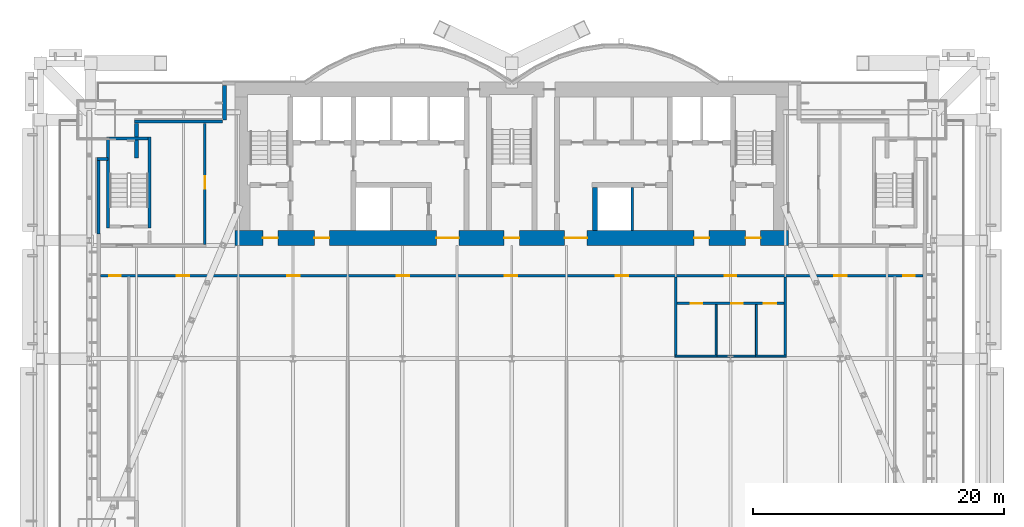
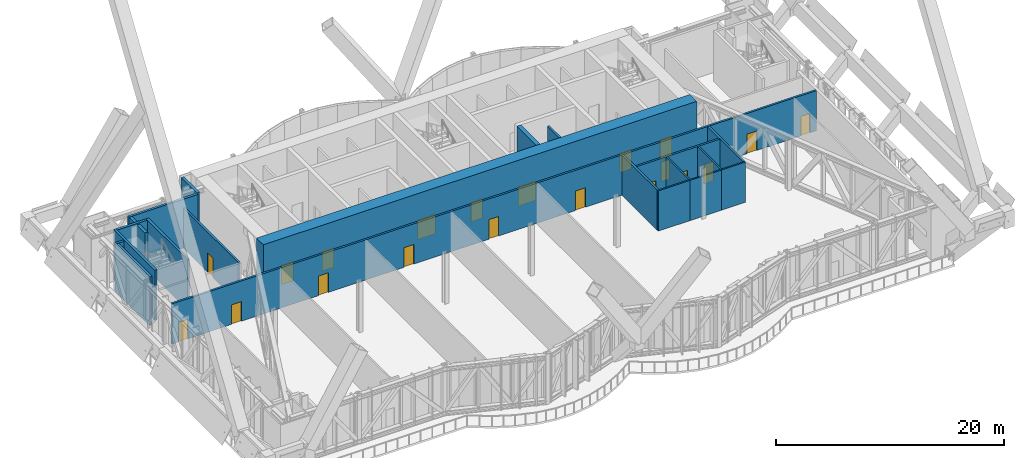
# One storey, part 26 of 32: 21 walls, 20 doors, 20 openings.
"""IFC4 building model written with IfcOpenShell, lengths in metres."""

from ifc_helpers import new_model, si_unit, direction, frame, frame_2d, origin, place, context, subcontext, project, spatial, rectangle, extrude, material, layer, layer_set, layer_usage, type_object, element, fill, save


model = new_model("IFC4")

# Units and contexts
model_context = context("Model", 3, precision=1e-05, world=origin(), true_north=direction((0.0, 1.0)))
body_context = subcontext(model_context, "Body", "Model", "MODEL_VIEW")
ifc_project = project(units=[si_unit("LENGTHUNIT", "METRE"), si_unit("AREAUNIT", "SQUARE_METRE"), si_unit("VOLUMEUNIT", "CUBIC_METRE"), si_unit("PLANEANGLEUNIT", "RADIAN"), si_unit("MASSUNIT", "GRAM", prefix="KILO")], contexts=[model_context])

# Site, building, storey
site_placement = place(None, origin())
site = spatial("IfcSite", under=ifc_project, at=site_placement, CompositionType="ELEMENT")
building_placement = place(site_placement, origin())
building = spatial("IfcBuilding", under=site, at=building_placement, Name="Bicima Exchange Tower", CompositionType="ELEMENT")
storey_placement = place(building_placement, frame((0.0, 0.0, 84.5)))
storey = spatial("IfcBuildingStorey", under=building, at=storey_placement, Name="L17", CompositionType="ELEMENT", Elevation=84.5)

# Wall
ifc_material_1 = material(Name="Gypsum board partition")
ifc_layer_1 = layer(ifc_material_1, 0.199951171875)
ifc_layer_set_1 = layer_set([ifc_layer_1], Name="Gypsum board partition")
wall_type_1 = type_object("IfcWallType", Name="Fire-rated gypsum partition 200 EI120", PredefinedType="PARTITIONING", material=ifc_layer_set_1)
wall_1_placement = place(storey_placement, frame((9.60009765625, -11.800048828125, 0.0), z_axis=(0.0, 0.0, 1.0), x_axis=(0.0, 1.0, 0.0)))
element("IfcWall", 1, at=wall_1_placement, inside=storey, type_object=wall_type_1, Name="partition wall 21", PredefinedType="PARTITIONING", context=body_context, shape_type="SweptSolid", body=[
    extrude(rectangle(XDim=3.400146484375, YDim=0.199951171875, at=frame_2d((1.7001953125, 0.0))), origin(), (0.0, 0.0, 1.0), 4.318115234375),
])

# Wall, openings, doors
ifc_layer_2 = layer(ifc_material_1, 0.199951171875)
ifc_layer_set_2 = layer_set([ifc_layer_2], Name="Gypsum board partition")
wall_type_2 = type_object("IfcWallType", Name="Fire-rated gypsum partition 200 EI60", PredefinedType="PARTITIONING", material=ifc_layer_set_2)
wall_2_placement = place(storey_placement, frame((13.14990234375, -17.60009765625, 0.0), z_axis=(0.0, 0.0, 1.0), x_axis=(1.0, 0.0, 0.0)))
wall_2 = element("IfcWall", 2, at=wall_2_placement, inside=storey, type_object=wall_type_2, Name="partition wall 4", PredefinedType="PARTITIONING", context=body_context, shape_type="SweptSolid", body=[
    extrude(rectangle(XDim=8.5, YDim=0.199951171875, at=frame_2d((4.25, 0.0))), origin(), (0.0, 0.0, 1.0), 4.318115234375),
])
opening_1_placement = place(wall_2_placement, frame((1.10009765625, 0.0, 0.0)))
opening_1 = element("IfcOpeningElement", 3, at=opening_1_placement, cuts=wall_2, Name="Opening L17-014", PredefinedType="OPENING", context=body_context, shape_type="SweptSolid", body=[
    extrude(rectangle(XDim=0.89990234375, YDim=2.10009765625, at=frame_2d((0.449951171875, 1.050048828125))), frame((0.0, 0.11181640625, 0.0), z_axis=(0.0, -1.0, 0.0), x_axis=(1.0, 0.0, 0.0)), (0.0, 0.0, 1.0), 0.223876953125),
])
opening_2_placement = place(wall_2_placement, frame((4.300048828125, 0.0, 0.0)))
opening_2 = element("IfcOpeningElement", 4, at=opening_2_placement, cuts=wall_2, Name="Opening L17-015", PredefinedType="OPENING", context=body_context, shape_type="SweptSolid", body=[
    extrude(rectangle(XDim=0.89990234375, YDim=2.10009765625, at=frame_2d((0.449951171875, 1.050048828125))), frame((0.0, 0.11181640625, 0.0), z_axis=(0.0, -1.0, 0.0), x_axis=(1.0, 0.0, 0.0)), (0.0, 0.0, 1.0), 0.223876953125),
])
opening_3_placement = place(wall_2_placement, frame((6.89990234375, 0.0, 0.0)))
opening_3 = element("IfcOpeningElement", 5, at=opening_3_placement, cuts=wall_2, Name="Opening L17-016", PredefinedType="OPENING", context=body_context, shape_type="SweptSolid", body=[
    extrude(rectangle(XDim=1.0, YDim=2.10009765625, at=frame_2d((0.5, 1.050048828125))), frame((0.0, 0.11181640625, 0.0), z_axis=(0.0, -1.0, 0.0), x_axis=(1.0, 0.0, 0.0)), (0.0, 0.0, 1.0), 0.223876953125),
])
ifc_material_2 = material(Name="Steel fire door leaf", Category="steel")
door_type_1 = type_object("IfcDoorType", Name="Door 1000 swing FD30S", OperationType="SINGLE_SWING_LEFT", PredefinedType="DOOR", material=ifc_material_2)
door_1_placement = place(opening_3_placement, frame((1.0, 0.0, 0.0), z_axis=(0.0, 0.0, 1.0), x_axis=(-1.0, 0.0, 0.0)))
door_1 = element("IfcDoor", 6, at=door_1_placement, inside=storey, type_object=door_type_1, Name="Door", OperationType="SINGLE_SWING_LEFT", OverallHeight=2.10009765625, OverallWidth=1.0, PredefinedType="DOOR", context=body_context, shape_type="SweptSolid", body=[
    extrude(rectangle(XDim=1.0, YDim=2.10009765625, at=frame_2d((0.5, 1.050048828125))), frame((0.0, 0.02490234375, 0.0), z_axis=(0.0, -1.0, 0.0), x_axis=(1.0, 0.0, 0.0)), (0.0, 0.0, 1.0), 0.050048828125),
])
fill(opening_3, door_1)
door_type_2 = type_object("IfcDoorType", Name="Door 900 swing FD30S", OperationType="SINGLE_SWING_LEFT", PredefinedType="DOOR", material=ifc_material_2)
door_2_placement = place(opening_1_placement, frame((0.89990234375, 0.0, 0.0), z_axis=(0.0, 0.0, 1.0), x_axis=(-1.0, 0.0, 0.0)))
door_2 = element("IfcDoor", 7, at=door_2_placement, inside=storey, type_object=door_type_2, Name="Door", OperationType="SINGLE_SWING_RIGHT", OverallHeight=2.10009765625, OverallWidth=0.89990234375, PredefinedType="DOOR", context=body_context, shape_type="SweptSolid", body=[
    extrude(rectangle(XDim=0.89990234375, YDim=2.10009765625, at=frame_2d((0.449951171875, 1.050048828125))), frame((0.0, 0.02490234375, 0.0), z_axis=(0.0, -1.0, 0.0), x_axis=(1.0, 0.0, 0.0)), (0.0, 0.0, 1.0), 0.050048828125),
])
fill(opening_1, door_2)
door_3_placement = place(opening_2_placement, frame((0.89990234375, 0.0, 0.0), z_axis=(0.0, 0.0, 1.0), x_axis=(-1.0, 0.0, 0.0)))
door_3 = element("IfcDoor", 8, at=door_3_placement, inside=storey, type_object=door_type_2, Name="Door", OperationType="SINGLE_SWING_RIGHT", OverallHeight=2.10009765625, OverallWidth=0.89990234375, PredefinedType="DOOR", context=body_context, shape_type="SweptSolid", body=[
    extrude(rectangle(XDim=0.89990234375, YDim=2.10009765625, at=frame_2d((0.449951171875, 1.050048828125))), frame((0.0, 0.02490234375, 0.0), z_axis=(0.0, -1.0, 0.0), x_axis=(1.0, 0.0, 0.0)), (0.0, 0.0, 1.0), 0.050048828125),
])
fill(opening_2, door_3)

wall_3_placement = place(storey_placement, frame((-32.699951171875, -15.39990234375, 0.0), z_axis=(0.0, 0.0, 1.0), x_axis=(1.0, 0.0, 0.0)))
wall_3 = element("IfcWall", 9, at=wall_3_placement, inside=storey, type_object=wall_type_2, Name="partition wall 5", PredefinedType="PARTITIONING", context=body_context, shape_type="SweptSolid", body=[
    extrude(rectangle(XDim=65.39990234375, YDim=0.199951171875, at=frame_2d((32.699951171875, 0.0))), origin(), (0.0, 0.0, 1.0), 4.318115234375),
])
opening_4_placement = place(wall_3_placement, frame((0.699951171875, 0.0, 0.0)))
opening_4 = element("IfcOpeningElement", 10, at=opening_4_placement, cuts=wall_3, Name="Opening L17-007", PredefinedType="OPENING", context=body_context, shape_type="SweptSolid", body=[
    extrude(rectangle(XDim=0.89990234375, YDim=2.10009765625, at=frame_2d((0.449951171875, 1.050048828125))), frame((0.0, 0.11181640625, 0.0), z_axis=(0.0, -1.0, 0.0), x_axis=(1.0, 0.0, 0.0)), (0.0, 0.0, 1.0), 0.223876953125),
])
opening_5_placement = place(wall_3_placement, frame((6.050048828125, 0.0, 0.0)))
opening_5 = element("IfcOpeningElement", 11, at=opening_5_placement, cuts=wall_3, Name="Opening L17-008", PredefinedType="OPENING", context=body_context, shape_type="SweptSolid", body=[
    extrude(rectangle(XDim=1.0, YDim=2.10009765625, at=frame_2d((0.5, 1.050048828125))), frame((0.0, 0.11181640625, 0.0), z_axis=(0.0, -1.0, 0.0), x_axis=(1.0, 0.0, 0.0)), (0.0, 0.0, 1.0), 0.223876953125),
])
opening_6_placement = place(wall_3_placement, frame((14.85009765625, 0.0, 0.0)))
opening_6 = element("IfcOpeningElement", 12, at=opening_6_placement, cuts=wall_3, Name="Opening L17-009", PredefinedType="OPENING", context=body_context, shape_type="SweptSolid", body=[
    extrude(rectangle(XDim=1.0, YDim=2.10009765625, at=frame_2d((0.5, 1.050048828125))), frame((0.0, 0.11181640625, 0.0), z_axis=(0.0, -1.0, 0.0), x_axis=(1.0, 0.0, 0.0)), (0.0, 0.0, 1.0), 0.223876953125),
])
opening_7_placement = place(wall_3_placement, frame((23.550048828125, 0.0, 0.0)))
opening_7 = element("IfcOpeningElement", 13, at=opening_7_placement, cuts=wall_3, Name="Opening L17-010", PredefinedType="OPENING", context=body_context, shape_type="SweptSolid", body=[
    extrude(rectangle(XDim=1.0, YDim=2.10009765625, at=frame_2d((0.5, 1.050048828125))), frame((0.0, 0.11181640625, 0.0), z_axis=(0.0, -1.0, 0.0), x_axis=(1.0, 0.0, 0.0)), (0.0, 0.0, 1.0), 0.223876953125),
])
opening_8_placement = place(wall_3_placement, frame((32.14990234375, 0.0, 0.0)))
opening_8 = element("IfcOpeningElement", 14, at=opening_8_placement, cuts=wall_3, Name="Opening L17-011", PredefinedType="OPENING", context=body_context, shape_type="SweptSolid", body=[
    extrude(rectangle(XDim=1.0, YDim=2.10009765625, at=frame_2d((0.5, 1.050048828125))), frame((0.0, 0.11181640625, 0.0), z_axis=(0.0, -1.0, 0.0), x_axis=(1.0, 0.0, 0.0)), (0.0, 0.0, 1.0), 0.223876953125),
])
opening_9_placement = place(wall_3_placement, frame((40.949951171875, 0.0, 0.0)))
opening_9 = element("IfcOpeningElement", 15, at=opening_9_placement, cuts=wall_3, Name="Opening L17-012", PredefinedType="OPENING", context=body_context, shape_type="SweptSolid", body=[
    extrude(rectangle(XDim=1.0, YDim=2.10009765625, at=frame_2d((0.5, 1.050048828125))), frame((0.0, 0.11181640625, 0.0), z_axis=(0.0, -1.0, 0.0), x_axis=(1.0, 0.0, 0.0)), (0.0, 0.0, 1.0), 0.223876953125),
])
opening_10_placement = place(wall_3_placement, frame((49.64990234375, 0.0, 0.0)))
opening_10 = element("IfcOpeningElement", 16, at=opening_10_placement, cuts=wall_3, Name="Opening L17-013", PredefinedType="OPENING", context=body_context, shape_type="SweptSolid", body=[
    extrude(rectangle(XDim=0.89990234375, YDim=2.10009765625, at=frame_2d((0.449951171875, 1.050048828125))), frame((0.0, 0.11181640625, 0.0), z_axis=(0.0, -1.0, 0.0), x_axis=(1.0, 0.0, 0.0)), (0.0, 0.0, 1.0), 0.223876953125),
])
opening_11_placement = place(wall_3_placement, frame((58.35009765625, 0.0, 0.0)))
opening_11 = element("IfcOpeningElement", 17, at=opening_11_placement, cuts=wall_3, Name="Opening L17-017", PredefinedType="OPENING", context=body_context, shape_type="SweptSolid", body=[
    extrude(rectangle(XDim=1.0, YDim=2.10009765625, at=frame_2d((0.5, 1.050048828125))), frame((0.0, 0.11181640625, 0.0), z_axis=(0.0, -1.0, 0.0), x_axis=(1.0, 0.0, 0.0)), (0.0, 0.0, 1.0), 0.223876953125),
])
opening_12_placement = place(wall_3_placement, frame((63.85009765625, 0.0, 0.0)))
opening_12 = element("IfcOpeningElement", 18, at=opening_12_placement, cuts=wall_3, Name="Opening L17-018", PredefinedType="OPENING", context=body_context, shape_type="SweptSolid", body=[
    extrude(rectangle(XDim=0.89990234375, YDim=2.10009765625, at=frame_2d((0.449951171875, 1.050048828125))), frame((0.0, 0.11181640625, 0.0), z_axis=(0.0, -1.0, 0.0), x_axis=(1.0, 0.0, 0.0)), (0.0, 0.0, 1.0), 0.223876953125),
])
door_4_placement = place(opening_5_placement, frame((1.0, 0.0, 0.0), z_axis=(0.0, 0.0, 1.0), x_axis=(-1.0, 0.0, 0.0)))
door_4 = element("IfcDoor", 19, at=door_4_placement, inside=storey, type_object=door_type_1, Name="Door", OperationType="SINGLE_SWING_RIGHT", OverallHeight=2.10009765625, OverallWidth=1.0, PredefinedType="DOOR", context=body_context, shape_type="SweptSolid", body=[
    extrude(rectangle(XDim=1.0, YDim=2.10009765625, at=frame_2d((0.5, 1.050048828125))), frame((0.0, 0.02490234375, 0.0), z_axis=(0.0, -1.0, 0.0), x_axis=(1.0, 0.0, 0.0)), (0.0, 0.0, 1.0), 0.050048828125),
])
fill(opening_5, door_4)
door_5_placement = place(opening_6_placement, frame((1.0, 0.0, 0.0), z_axis=(0.0, 0.0, 1.0), x_axis=(-1.0, 0.0, 0.0)))
door_5 = element("IfcDoor", 20, at=door_5_placement, inside=storey, type_object=door_type_1, Name="Door", OperationType="SINGLE_SWING_RIGHT", OverallHeight=2.10009765625, OverallWidth=1.0, PredefinedType="DOOR", context=body_context, shape_type="SweptSolid", body=[
    extrude(rectangle(XDim=1.0, YDim=2.10009765625, at=frame_2d((0.5, 1.050048828125))), frame((0.0, 0.02490234375, 0.0), z_axis=(0.0, -1.0, 0.0), x_axis=(1.0, 0.0, 0.0)), (0.0, 0.0, 1.0), 0.050048828125),
])
fill(opening_6, door_5)
door_6_placement = place(opening_7_placement, frame((1.0, 0.0, 0.0), z_axis=(0.0, 0.0, 1.0), x_axis=(-1.0, 0.0, 0.0)))
door_6 = element("IfcDoor", 21, at=door_6_placement, inside=storey, type_object=door_type_1, Name="Door", OperationType="SINGLE_SWING_LEFT", OverallHeight=2.10009765625, OverallWidth=1.0, PredefinedType="DOOR", context=body_context, shape_type="SweptSolid", body=[
    extrude(rectangle(XDim=1.0, YDim=2.10009765625, at=frame_2d((0.5, 1.050048828125))), frame((0.0, 0.02490234375, 0.0), z_axis=(0.0, -1.0, 0.0), x_axis=(1.0, 0.0, 0.0)), (0.0, 0.0, 1.0), 0.050048828125),
])
fill(opening_7, door_6)
door_7_placement = place(opening_8_placement, frame((1.0, 0.0, 0.0), z_axis=(0.0, 0.0, 1.0), x_axis=(-1.0, 0.0, 0.0)))
door_7 = element("IfcDoor", 22, at=door_7_placement, inside=storey, type_object=door_type_1, Name="Door", OperationType="SINGLE_SWING_RIGHT", OverallHeight=2.10009765625, OverallWidth=1.0, PredefinedType="DOOR", context=body_context, shape_type="SweptSolid", body=[
    extrude(rectangle(XDim=1.0, YDim=2.10009765625, at=frame_2d((0.5, 1.050048828125))), frame((0.0, 0.02490234375, 0.0), z_axis=(0.0, -1.0, 0.0), x_axis=(1.0, 0.0, 0.0)), (0.0, 0.0, 1.0), 0.050048828125),
])
fill(opening_8, door_7)
door_8_placement = place(opening_9_placement, frame((1.0, 0.0, 0.0), z_axis=(0.0, 0.0, 1.0), x_axis=(-1.0, 0.0, 0.0)))
door_8 = element("IfcDoor", 23, at=door_8_placement, inside=storey, type_object=door_type_1, Name="Door", OperationType="SINGLE_SWING_RIGHT", OverallHeight=2.10009765625, OverallWidth=1.0, PredefinedType="DOOR", context=body_context, shape_type="SweptSolid", body=[
    extrude(rectangle(XDim=1.0, YDim=2.10009765625, at=frame_2d((0.5, 1.050048828125))), frame((0.0, 0.02490234375, 0.0), z_axis=(0.0, -1.0, 0.0), x_axis=(1.0, 0.0, 0.0)), (0.0, 0.0, 1.0), 0.050048828125),
])
fill(opening_9, door_8)
door_9_placement = place(opening_11_placement, frame((1.0, 0.0, 0.0), z_axis=(0.0, 0.0, 1.0), x_axis=(-1.0, 0.0, 0.0)))
door_9 = element("IfcDoor", 24, at=door_9_placement, inside=storey, type_object=door_type_1, Name="Door", OperationType="SINGLE_SWING_RIGHT", OverallHeight=2.10009765625, OverallWidth=1.0, PredefinedType="DOOR", context=body_context, shape_type="SweptSolid", body=[
    extrude(rectangle(XDim=1.0, YDim=2.10009765625, at=frame_2d((0.5, 1.050048828125))), frame((0.0, 0.02490234375, 0.0), z_axis=(0.0, -1.0, 0.0), x_axis=(1.0, 0.0, 0.0)), (0.0, 0.0, 1.0), 0.050048828125),
])
fill(opening_11, door_9)
door_10_placement = place(opening_4_placement, frame((0.89990234375, 0.0, 0.0), z_axis=(0.0, 0.0, 1.0), x_axis=(-1.0, 0.0, 0.0)))
door_10 = element("IfcDoor", 25, at=door_10_placement, inside=storey, type_object=door_type_2, Name="Door", OperationType="SINGLE_SWING_LEFT", OverallHeight=2.10009765625, OverallWidth=0.89990234375, PredefinedType="DOOR", context=body_context, shape_type="SweptSolid", body=[
    extrude(rectangle(XDim=0.89990234375, YDim=2.10009765625, at=frame_2d((0.449951171875, 1.050048828125))), frame((0.0, 0.02490234375, 0.0), z_axis=(0.0, -1.0, 0.0), x_axis=(1.0, 0.0, 0.0)), (0.0, 0.0, 1.0), 0.050048828125),
])
fill(opening_4, door_10)
door_11_placement = place(opening_10_placement, frame((0.89990234375, 0.0, 0.0), z_axis=(0.0, 0.0, 1.0), x_axis=(-1.0, 0.0, 0.0)))
door_11 = element("IfcDoor", 26, at=door_11_placement, inside=storey, type_object=door_type_2, Name="Door", OperationType="SINGLE_SWING_LEFT", OverallHeight=2.10009765625, OverallWidth=0.89990234375, PredefinedType="DOOR", context=body_context, shape_type="SweptSolid", body=[
    extrude(rectangle(XDim=0.89990234375, YDim=2.10009765625, at=frame_2d((0.449951171875, 1.050048828125))), frame((0.0, 0.02490234375, 0.0), z_axis=(0.0, -1.0, 0.0), x_axis=(1.0, 0.0, 0.0)), (0.0, 0.0, 1.0), 0.050048828125),
])
fill(opening_10, door_11)
door_12_placement = place(opening_12_placement, frame((0.89990234375, 0.0, 0.0), z_axis=(0.0, 0.0, 1.0), x_axis=(-1.0, 0.0, 0.0)))
door_12 = element("IfcDoor", 27, at=door_12_placement, inside=storey, type_object=door_type_2, Name="Door", OperationType="SINGLE_SWING_RIGHT", OverallHeight=2.10009765625, OverallWidth=0.89990234375, PredefinedType="DOOR", context=body_context, shape_type="SweptSolid", body=[
    extrude(rectangle(XDim=0.89990234375, YDim=2.10009765625, at=frame_2d((0.449951171875, 1.050048828125))), frame((0.0, 0.02490234375, 0.0), z_axis=(0.0, -1.0, 0.0), x_axis=(1.0, 0.0, 0.0)), (0.0, 0.0, 1.0), 0.050048828125),
])
fill(opening_12, door_12)

# Wall, opening, door
wall_4_placement = place(storey_placement, frame((-24.39990234375, -12.89990234375, 0.0), z_axis=(0.0, 0.0, 1.0), x_axis=(0.0, 1.0, 0.0)))
wall_4 = element("IfcWall", 28, at=wall_4_placement, inside=storey, type_object=wall_type_2, Name="partition wall 15", PredefinedType="PARTITIONING", context=body_context, shape_type="SweptSolid", body=[
    extrude(rectangle(XDim=9.599853515625, YDim=0.199951171875, at=frame_2d((4.7998046875, 0.0))), origin(), (0.0, 0.0, 1.0), 4.318115234375),
])
opening_13_placement = place(wall_4_placement, frame((4.39990234375, 0.0, 0.0)))
opening_13 = element("IfcOpeningElement", 29, at=opening_13_placement, cuts=wall_4, Name="Opening L17-005", PredefinedType="OPENING", context=body_context, shape_type="SweptSolid", body=[
    extrude(rectangle(XDim=1.0, YDim=2.10009765625, at=frame_2d((0.5, 1.050048828125))), frame((0.0, 0.11181640625, 0.0), z_axis=(0.0, -1.0, 0.0), x_axis=(1.0, 0.0, 0.0)), (0.0, 0.0, 1.0), 0.223876953125),
])
door_13_placement = place(opening_13_placement, origin())
door_13 = element("IfcDoor", 30, at=door_13_placement, inside=storey, type_object=door_type_1, Name="Door", OperationType="SINGLE_SWING_LEFT", OverallHeight=2.10009765625, OverallWidth=1.0, PredefinedType="DOOR", context=body_context, shape_type="SweptSolid", body=[
    extrude(rectangle(XDim=1.0, YDim=2.10009765625, at=frame_2d((0.5, 1.050048828125))), frame((0.0, 0.02490234375, 0.0), z_axis=(0.0, -1.0, 0.0), x_axis=(1.0, 0.0, 0.0)), (0.0, 0.0, 1.0), 0.050048828125),
])
fill(opening_13, door_13)

# Walls
for number, where, z_axis, x_axis, name in (
    (31, (13.050048828125, -21.72509765625, 0.0), (0.0, 0.0, 1.0), (0.0, 1.0, 0.0), "partition wall 20"),
    (32, (21.75, -21.72509765625, 0.0), (0.0, 0.0, 1.0), (0.0, 1.0, 0.0), "partition wall 23"),
):
    element("IfcWall", number, at=place(storey_placement, frame(where, z_axis=z_axis, x_axis=x_axis)), inside=storey, type_object=wall_type_2, Name=name, PredefinedType="PARTITIONING", context=body_context, shape_type="SweptSolid", body=[
        extrude(rectangle(XDim=6.22509765625, YDim=0.199951171875, at=frame_2d((3.112548828125, 0.0))), origin(), (0.0, 0.0, 1.0), 4.318115234375),
    ])
ifc_layer_3 = layer(ifc_material_1, 0.14990234375)
ifc_layer_set_3 = layer_set([ifc_layer_3], Name="Gypsum board partition")
wall_type_3 = type_object("IfcWallType", Name="Gypsum partition 150", PredefinedType="PARTITIONING", material=ifc_layer_set_3)
wall_5_placement = place(storey_placement, frame((12.969970703125, -21.800048828125, 0.0), z_axis=(0.0, 0.0, 1.0), x_axis=(1.0, 0.0, 0.0)))
element("IfcWall", 33, at=wall_5_placement, inside=storey, type_object=wall_type_3, Name="partition wall 1", PredefinedType="PARTITIONING", context=body_context, shape_type="SweptSolid", body=[
    extrude(rectangle(XDim=3.3349609375, YDim=0.14990234375, at=frame_2d((1.66748046875, 0.0))), origin(), (0.0, 0.0, 1.0), 4.318115234375),
])
wall_6_placement = place(storey_placement, frame((16.195068359375, -21.800048828125, 0.0), z_axis=(0.0, 0.0, 1.0), x_axis=(1.0, 0.0, 0.0)))
element("IfcWall", 34, at=wall_6_placement, inside=storey, type_object=wall_type_3, Name="partition wall 2", PredefinedType="PARTITIONING", context=body_context, shape_type="SweptSolid", body=[
    extrude(rectangle(XDim=3.309814453125, YDim=0.14990234375, at=frame_2d((1.65478515625, 0.0))), origin(), (0.0, 0.0, 1.0), 4.318115234375),
])
wall_7_placement = place(storey_placement, frame((19.39501953125, -21.800048828125, 0.0), z_axis=(0.0, 0.0, 1.0), x_axis=(1.0, 0.0, 0.0)))
element("IfcWall", 35, at=wall_7_placement, inside=storey, type_object=wall_type_3, Name="partition wall 3", PredefinedType="PARTITIONING", context=body_context, shape_type="SweptSolid", body=[
    extrude(rectangle(XDim=2.43505859375, YDim=0.14990234375, at=frame_2d((1.217529296875, 0.0))), origin(), (0.0, 0.0, 1.0), 4.318115234375),
])
for number, where, z_axis, x_axis, name in (
    (36, (16.25, -21.72509765625, 0.0), (0.0, 0.0, 1.0), (0.0, 1.0, 0.0), "partition wall 21"),
    (37, (19.449951171875, -21.72509765625, 0.0), (0.0, 0.0, 1.0), (0.0, 1.0, 0.0), "partition wall 22"),
):
    element("IfcWall", number, at=place(storey_placement, frame(where, z_axis=z_axis, x_axis=x_axis)), inside=storey, type_object=wall_type_3, Name=name, PredefinedType="PARTITIONING", context=body_context, shape_type="SweptSolid", body=[
        extrude(rectangle(XDim=4.025146484375, YDim=0.14990234375, at=frame_2d((2.0126953125, 0.0))), origin(), (0.0, 0.0, 1.0), 4.318115234375),
    ])

# Wall, openings, doors
ifc_material_3 = material(Name="Concrete C60/75", Category="concrete")
ifc_layer_4 = layer(ifc_material_3, 1.199951171875)
ifc_layer_set_4 = layer_set([ifc_layer_4], Name="Concrete C60/75")
wall_type_4 = type_object("IfcWallType", Name="RC core wall 1200 C60/75", PredefinedType="SHEAR", material=ifc_layer_set_4)
wall_8_placement = place(storey_placement, frame((-22.0, -12.39990234375, 0.0), z_axis=(0.0, 0.0, 1.0), x_axis=(1.0, 0.0, 0.0)))
wall_8 = element("IfcWall", 38, at=wall_8_placement, inside=storey, type_object=wall_type_4, Name="Core wall south", PredefinedType="SHEAR", context=body_context, shape_type="SweptSolid", body=[
    extrude(rectangle(XDim=44.0, YDim=1.199951171875, at=frame_2d((22.0, 0.0))), origin(), (0.0, 0.0, 1.0), 5.39990234375),
])
opening_14_placement = place(wall_8_placement, frame((2.199951171875, 0.0, 0.0)))
opening_14 = element("IfcOpeningElement", 39, at=opening_14_placement, cuts=wall_8, Name="Opening L17-C19", PredefinedType="OPENING", context=body_context, shape_type="SweptSolid", body=[
    extrude(rectangle(XDim=1.199951171875, YDim=2.10009765625, at=frame_2d((0.60009765625, 1.050048828125))), frame((0.0, 0.61181640625, 0.0), z_axis=(0.0, -1.0, 0.0), x_axis=(1.0, 0.0, 0.0)), (0.0, 0.0, 1.0), 1.223876953125),
])
opening_15_placement = place(wall_8_placement, frame((21.39990234375, 0.0, 0.0)))
opening_15 = element("IfcOpeningElement", 40, at=opening_15_placement, cuts=wall_8, Name="Opening L17-C20", PredefinedType="OPENING", context=body_context, shape_type="SweptSolid", body=[
    extrude(rectangle(XDim=1.199951171875, YDim=2.10009765625, at=frame_2d((0.60009765625, 1.050048828125))), frame((0.0, 0.61181640625, 0.0), z_axis=(0.0, -1.0, 0.0), x_axis=(1.0, 0.0, 0.0)), (0.0, 0.0, 1.0), 1.223876953125),
])
opening_16_placement = place(wall_8_placement, frame((40.60009765625, 0.0, 0.0)))
opening_16 = element("IfcOpeningElement", 41, at=opening_16_placement, cuts=wall_8, Name="Opening L17-C21", PredefinedType="OPENING", context=body_context, shape_type="SweptSolid", body=[
    extrude(rectangle(XDim=1.199951171875, YDim=2.10009765625, at=frame_2d((0.60009765625, 1.050048828125))), frame((0.0, 0.61181640625, 0.0), z_axis=(0.0, -1.0, 0.0), x_axis=(1.0, 0.0, 0.0)), (0.0, 0.0, 1.0), 1.223876953125),
])
opening_17_placement = place(wall_8_placement, frame((16.0, 0.0, 0.0)))
opening_17 = element("IfcOpeningElement", 42, at=opening_17_placement, cuts=wall_8, Name="Opening L17-C22", PredefinedType="OPENING", context=body_context, shape_type="SweptSolid", body=[
    extrude(rectangle(XDim=1.800048828125, YDim=2.10009765625, at=frame_2d((0.89990234375, 1.050048828125))), frame((0.0, 0.61181640625, 0.0), z_axis=(0.0, -1.0, 0.0), x_axis=(1.0, 0.0, 0.0)), (0.0, 0.0, 1.0), 1.223876953125),
])
opening_18_placement = place(wall_8_placement, frame((6.300048828125, 0.0, 0.0)))
opening_18 = element("IfcOpeningElement", 43, at=opening_18_placement, cuts=wall_8, Name="Opening L17-C23", PredefinedType="OPENING", context=body_context, shape_type="SweptSolid", body=[
    extrude(rectangle(XDim=1.199951171875, YDim=2.10009765625, at=frame_2d((0.60009765625, 1.050048828125))), frame((0.0, 0.61181640625, 0.0), z_axis=(0.0, -1.0, 0.0), x_axis=(1.0, 0.0, 0.0)), (0.0, 0.0, 1.0), 1.223876953125),
])
opening_19_placement = place(wall_8_placement, frame((26.199951171875, 0.0, 0.0)))
opening_19 = element("IfcOpeningElement", 44, at=opening_19_placement, cuts=wall_8, Name="Opening L17-C24", PredefinedType="OPENING", context=body_context, shape_type="SweptSolid", body=[
    extrude(rectangle(XDim=1.800048828125, YDim=2.10009765625, at=frame_2d((0.89990234375, 1.050048828125))), frame((0.0, 0.61181640625, 0.0), z_axis=(0.0, -1.0, 0.0), x_axis=(1.0, 0.0, 0.0)), (0.0, 0.0, 1.0), 1.223876953125),
])
opening_20_placement = place(wall_8_placement, frame((36.5, 0.0, 0.0)))
opening_20 = element("IfcOpeningElement", 45, at=opening_20_placement, cuts=wall_8, Name="Opening L17-C25", PredefinedType="OPENING", context=body_context, shape_type="SweptSolid", body=[
    extrude(rectangle(XDim=1.199951171875, YDim=2.10009765625, at=frame_2d((0.60009765625, 1.050048828125))), frame((0.0, 0.61181640625, 0.0), z_axis=(0.0, -1.0, 0.0), x_axis=(1.0, 0.0, 0.0)), (0.0, 0.0, 1.0), 1.223876953125),
])
door_type_3 = type_object("IfcDoorType", Name="Door 1200 swing FD60S", OperationType="SINGLE_SWING_LEFT", PredefinedType="DOOR", material=ifc_material_2)
door_14_placement = place(opening_14_placement, frame((1.199951171875, 0.0, 0.0), z_axis=(0.0, 0.0, 1.0), x_axis=(-1.0, 0.0, 0.0)))
door_14 = element("IfcDoor", 46, at=door_14_placement, inside=storey, type_object=door_type_3, Name="Core door", OperationType="SINGLE_SWING_RIGHT", OverallHeight=2.10009765625, OverallWidth=1.199951171875, PredefinedType="DOOR", context=body_context, shape_type="SweptSolid", body=[
    extrude(rectangle(XDim=1.199951171875, YDim=2.10009765625, at=frame_2d((0.60009765625, 1.050048828125))), frame((0.0, 0.02490234375, 0.0), z_axis=(0.0, -1.0, 0.0), x_axis=(1.0, 0.0, 0.0)), (0.0, 0.0, 1.0), 0.050048828125),
])
fill(opening_14, door_14)
door_15_placement = place(opening_15_placement, frame((1.199951171875, 0.0, 0.0), z_axis=(0.0, 0.0, 1.0), x_axis=(-1.0, 0.0, 0.0)))
door_15 = element("IfcDoor", 47, at=door_15_placement, inside=storey, type_object=door_type_3, Name="Core door", OperationType="SINGLE_SWING_RIGHT", OverallHeight=2.10009765625, OverallWidth=1.199951171875, PredefinedType="DOOR", context=body_context, shape_type="SweptSolid", body=[
    extrude(rectangle(XDim=1.199951171875, YDim=2.10009765625, at=frame_2d((0.60009765625, 1.050048828125))), frame((0.0, 0.02490234375, 0.0), z_axis=(0.0, -1.0, 0.0), x_axis=(1.0, 0.0, 0.0)), (0.0, 0.0, 1.0), 0.050048828125),
])
fill(opening_15, door_15)
door_16_placement = place(opening_16_placement, frame((1.199951171875, 0.0, 0.0), z_axis=(0.0, 0.0, 1.0), x_axis=(-1.0, 0.0, 0.0)))
door_16 = element("IfcDoor", 48, at=door_16_placement, inside=storey, type_object=door_type_3, Name="Core door", OperationType="SINGLE_SWING_RIGHT", OverallHeight=2.10009765625, OverallWidth=1.199951171875, PredefinedType="DOOR", context=body_context, shape_type="SweptSolid", body=[
    extrude(rectangle(XDim=1.199951171875, YDim=2.10009765625, at=frame_2d((0.60009765625, 1.050048828125))), frame((0.0, 0.02490234375, 0.0), z_axis=(0.0, -1.0, 0.0), x_axis=(1.0, 0.0, 0.0)), (0.0, 0.0, 1.0), 0.050048828125),
])
fill(opening_16, door_16)
door_17_placement = place(opening_18_placement, frame((1.199951171875, 0.0, 0.0), z_axis=(0.0, 0.0, 1.0), x_axis=(-1.0, 0.0, 0.0)))
door_17 = element("IfcDoor", 49, at=door_17_placement, inside=storey, type_object=door_type_3, Name="Core door", OperationType="SINGLE_SWING_RIGHT", OverallHeight=2.10009765625, OverallWidth=1.199951171875, PredefinedType="DOOR", context=body_context, shape_type="SweptSolid", body=[
    extrude(rectangle(XDim=1.199951171875, YDim=2.10009765625, at=frame_2d((0.60009765625, 1.050048828125))), frame((0.0, 0.02490234375, 0.0), z_axis=(0.0, -1.0, 0.0), x_axis=(1.0, 0.0, 0.0)), (0.0, 0.0, 1.0), 0.050048828125),
])
fill(opening_18, door_17)
door_18_placement = place(opening_20_placement, frame((1.199951171875, 0.0, 0.0), z_axis=(0.0, 0.0, 1.0), x_axis=(-1.0, 0.0, 0.0)))
door_18 = element("IfcDoor", 50, at=door_18_placement, inside=storey, type_object=door_type_3, Name="Core door", OperationType="SINGLE_SWING_RIGHT", OverallHeight=2.10009765625, OverallWidth=1.199951171875, PredefinedType="DOOR", context=body_context, shape_type="SweptSolid", body=[
    extrude(rectangle(XDim=1.199951171875, YDim=2.10009765625, at=frame_2d((0.60009765625, 1.050048828125))), frame((0.0, 0.02490234375, 0.0), z_axis=(0.0, -1.0, 0.0), x_axis=(1.0, 0.0, 0.0)), (0.0, 0.0, 1.0), 0.050048828125),
])
fill(opening_20, door_18)
door_type_4 = type_object("IfcDoorType", Name="Door 1800 double swing FD30S", OperationType="DOUBLE_DOOR_SINGLE_SWING", PredefinedType="DOOR", material=ifc_material_2)
door_19_placement = place(opening_17_placement, origin())
door_19 = element("IfcDoor", 51, at=door_19_placement, inside=storey, type_object=door_type_4, Name="Core door", OperationType="SINGLE_SWING_LEFT", OverallHeight=2.10009765625, OverallWidth=1.800048828125, PredefinedType="DOOR", context=body_context, shape_type="SweptSolid", body=[
    extrude(rectangle(XDim=1.800048828125, YDim=2.10009765625, at=frame_2d((0.89990234375, 1.050048828125))), frame((0.0, 0.02490234375, 0.0), z_axis=(0.0, -1.0, 0.0), x_axis=(1.0, 0.0, 0.0)), (0.0, 0.0, 1.0), 0.050048828125),
])
fill(opening_17, door_19)
door_20_placement = place(opening_19_placement, origin())
door_20 = element("IfcDoor", 52, at=door_20_placement, inside=storey, type_object=door_type_4, Name="Core door", OperationType="SINGLE_SWING_LEFT", OverallHeight=2.10009765625, OverallWidth=1.800048828125, PredefinedType="DOOR", context=body_context, shape_type="SweptSolid", body=[
    extrude(rectangle(XDim=1.800048828125, YDim=2.10009765625, at=frame_2d((0.89990234375, 1.050048828125))), frame((0.0, 0.02490234375, 0.0), z_axis=(0.0, -1.0, 0.0), x_axis=(1.0, 0.0, 0.0)), (0.0, 0.0, 1.0), 0.050048828125),
])
fill(opening_19, door_20)

# Walls
ifc_layer_5 = layer(ifc_material_3, 0.39990234375)
ifc_layer_set_5 = layer_set([ifc_layer_5], Name="Concrete C60/75")
wall_type_5 = type_object("IfcWallType", Name="RC core wall 400 C60/75", PredefinedType="SHEAR", material=ifc_layer_set_5)
wall_9_placement = place(storey_placement, frame((6.60009765625, -11.800048828125, 0.0), z_axis=(0.0, 0.0, 1.0), x_axis=(0.0, 1.0, 0.0)))
element("IfcWall", 53, at=wall_9_placement, inside=storey, type_object=wall_type_5, Name="shear wall 19", PredefinedType="SHEAR", context=body_context, shape_type="SweptSolid", body=[
    extrude(rectangle(XDim=3.400146484375, YDim=0.39990234375, at=frame_2d((1.7001953125, 0.0))), origin(), (0.0, 0.0, 1.0), 5.39990234375),
])
ifc_material_4 = material(Name="Concrete C50/60", Category="concrete")
ifc_layer_6 = layer(ifc_material_4, 0.25)
ifc_layer_set_6 = layer_set([ifc_layer_6], Name="Concrete C50/60")
wall_type_6 = type_object("IfcWallType", Name="RC stair enclosure wall 250 C50/60", PredefinedType="SHEAR", material=ifc_layer_set_6)
for number, where, z_axis, x_axis, name in (
    (54, (-32.10009765625, -11.625, 0.0), (0.0, 0.0, 1.0), (0.0, 1.0, 0.0), "West end exit stair wall W"),
    (55, (-28.800048828125, -11.625, 0.0), (0.0, 0.0, 1.0), (0.0, 1.0, 0.0), "West end exit stair wall E"),
):
    element("IfcWall", number, at=place(storey_placement, frame(where, z_axis=z_axis, x_axis=x_axis)), inside=storey, type_object=wall_type_6, Name=name, PredefinedType="SHEAR", context=body_context, shape_type="SweptSolid", body=[
        extrude(rectangle(XDim=7.25, YDim=0.25, at=frame_2d((3.625, 0.0))), origin(), (0.0, 0.0, 1.0), 5.39990234375),
    ])
wall_10_placement = place(storey_placement, frame((-31.97509765625, -4.5, 0.0), z_axis=(0.0, 0.0, 1.0), x_axis=(1.0, 0.0, 0.0)))
element("IfcWall", 56, at=wall_10_placement, inside=storey, type_object=wall_type_6, Name="West end exit stair wall N", PredefinedType="SHEAR", context=body_context, shape_type="SweptSolid", body=[
    extrude(rectangle(XDim=3.050048828125, YDim=0.25, at=frame_2d((1.52490234375, 0.0))), origin(), (0.0, 0.0, 1.0), 5.39990234375),
])
ifc_material_5 = material(Name="Concrete C40/50", Category="concrete")
ifc_layer_7 = layer(ifc_material_5, 0.25)
ifc_layer_set_7 = layer_set([ifc_layer_7], Name="Concrete C40/50")
ifc_layer_usage_1 = layer_usage(ifc_layer_set_7, "AXIS2", "POSITIVE", -0.125)
wall_type_7 = type_object("IfcWallType", Name="Rear backup wall 250", PredefinedType="STANDARD", material=ifc_layer_set_7)
wall_11_placement = place(storey_placement, frame((-23.0, -3.125, 0.0), z_axis=(0.0, 0.0, 1.0), x_axis=(-1.0, 0.0, 0.0)))
element("IfcWall", 57, at=wall_11_placement, inside=storey, type_object=wall_type_7, material=ifc_layer_usage_1, Name="Rear backup wall L17 28", PredefinedType="STANDARD", context=body_context, shape_type="SweptSolid", body=[
    extrude(rectangle(XDim=7.0, YDim=0.25, at=frame_2d((3.5, 0.0))), origin(), (0.0, 0.0, 1.0), 5.25),
])
wall_12_placement = place(storey_placement, frame((-32.110107421875, -6.125, 0.0), z_axis=(0.0, 0.0, 1.0), x_axis=(-1.0, 0.0, 0.0)))
element("IfcWall", 58, at=wall_12_placement, inside=storey, type_object=wall_type_7, material=ifc_layer_usage_1, Name="Rear backup wall L17 30", PredefinedType="STANDARD", context=body_context, shape_type="SweptSolid", body=[
    extrude(rectangle(XDim=0.889892578125, YDim=0.25, at=frame_2d((0.44482421875, 0.0))), origin(), (0.0, 0.0, 1.0), 5.25),
])
wall_13_placement = place(storey_placement, frame((-32.875, -6.0, 0.0), z_axis=(0.0, 0.0, 1.0), x_axis=(0.0, -1.0, 0.0)))
element("IfcWall", 59, at=wall_13_placement, inside=storey, type_object=wall_type_7, material=ifc_layer_usage_1, Name="Rear backup wall L17 31", PredefinedType="STANDARD", context=body_context, shape_type="SweptSolid", body=[
    extrude(rectangle(XDim=6.090087890625, YDim=0.25, at=frame_2d((3.044921875, 0.0))), origin(), (0.0, 0.0, 1.0), 5.25),
])
ifc_layer_8 = layer(ifc_material_5, 0.3)
ifc_layer_set_8 = layer_set([ifc_layer_8], Name="Concrete C40/50")
ifc_layer_usage_2 = layer_usage(ifc_layer_set_8, "AXIS2", "POSITIVE", -0.15)
wall_type_8 = type_object("IfcWallType", Name="Refuge band wall 300", PredefinedType="STANDARD", material=ifc_layer_set_8)
for number, where, z_axis, x_axis, name in (
    (60, (-22.85009765625, -0.27587890625, 0.0), (0.0, 0.0, 1.0), (0.0, -1.0, 0.0), "Refuge band wall L17"),
    (61, (-29.85009765625, -3.27587890625, 0.0), (0.0, 0.0, 1.0), (0.0, -1.0, 0.0), "Refuge band wall L17"),
):
    element("IfcWall", number, at=place(storey_placement, frame(where, z_axis=z_axis, x_axis=x_axis)), inside=storey, type_object=wall_type_8, material=ifc_layer_usage_2, Name=name, PredefinedType="STANDARD", context=body_context, shape_type="SweptSolid", body=[
        extrude(rectangle(XDim=2.748291015625, YDim=0.300048828125, at=frame_2d((1.3740234375, 0.0))), origin(), (0.0, 0.0, 1.0), 5.25),
    ])

save(model, "model.ifc")
